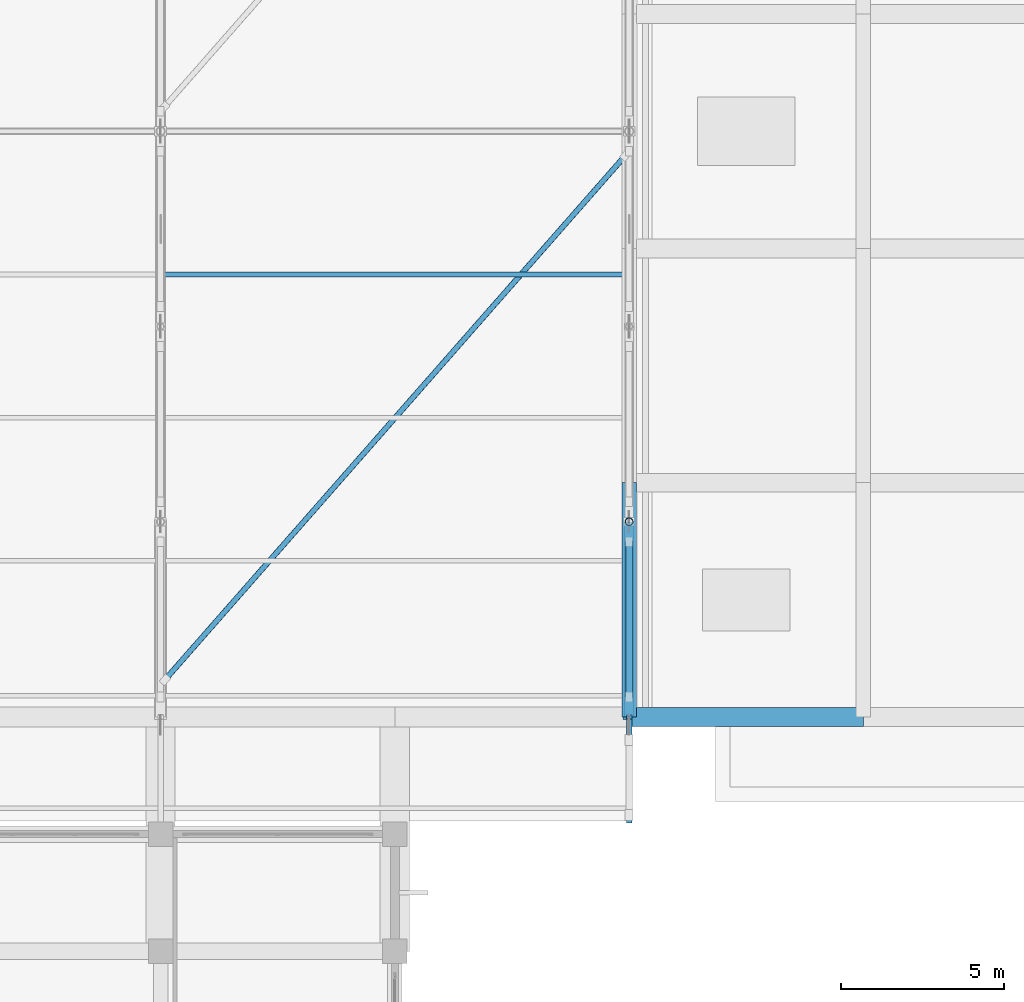
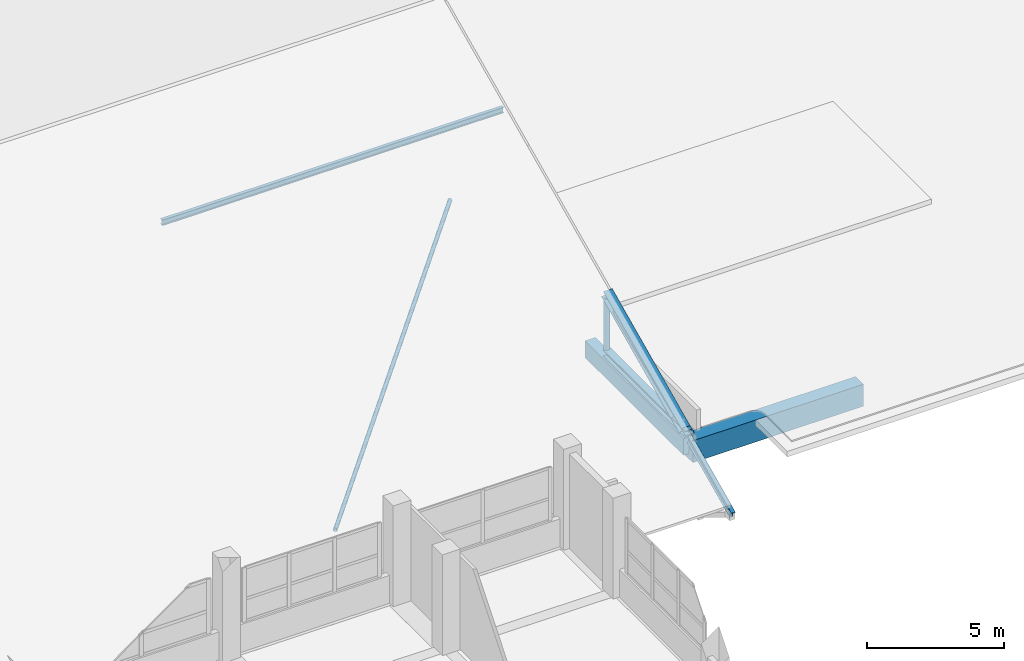
# One storey, part 103 of 141: 7 members, 2 beams, 1 element without a shape of its own.
"""IFC4 building model written with IfcOpenShell, lengths in metres."""

from ifc_helpers import new_model, si_unit, direction, frame, origin, origin_2d, place, context, subcontext, project, spatial, rectangle, hollow_circle, i_section, extrude, material, material_profile, profile_set, type_object, element, aggregate, save


model = new_model("IFC4")

# Units and contexts
model_context = context("Model", 3, precision=1e-05, world=origin(), true_north=direction((0.0, 1.0)))
body_context = subcontext(model_context, "Body", "Model", "MODEL_VIEW")
ifc_project = project(units=[si_unit("LENGTHUNIT", "METRE"), si_unit("AREAUNIT", "SQUARE_METRE"), si_unit("VOLUMEUNIT", "CUBIC_METRE"), si_unit("PLANEANGLEUNIT", "RADIAN"), si_unit("MASSUNIT", "GRAM", prefix="KILO")], contexts=[model_context])

# Site, building, storey
site_placement = place(None, origin())
site = spatial("IfcSite", under=ifc_project, at=site_placement, CompositionType="ELEMENT")
building_placement = place(site_placement, origin())
building = spatial("IfcBuilding", under=site, at=building_placement, Name="Seraya Terrace Polytechnic", CompositionType="ELEMENT")
storey_placement = place(building_placement, frame((0.0, 0.0, 14.39990234375)))
storey = spatial("IfcBuildingStorey", under=building, at=storey_placement, Name="L03", CompositionType="ELEMENT", Elevation=14.39990234375)

# Assembly, member
ifc_material_1 = material(Name="Steel S355J2", Category="steel")
element_assembly_type = type_object("IfcElementAssemblyType", Name="TR-A1", PredefinedType="TRUSS", material=ifc_material_1)
assembly_placement = place(storey_placement, origin())
assembly = element("IfcElementAssembly", 1, at=assembly_placement, inside=storey, type_object=element_assembly_type, Name="Pitched steel roof truss TR-08", AssemblyPlace="SITE", PredefinedType="TRUSS")
ifc_material_profile_1 = material_profile(ifc_material_1, i_section(OverallWidth=0.304931640625, OverallDepth=0.304931640625, WebThickness=0.014892578125, FlangeThickness=0.023681640625, at=origin_2d()), Name="UKC 305x305x14.9x23.8")
ifc_profile_set_1 = profile_set([ifc_material_profile_1], Name="Steel S355J2")
member_type_1 = type_object("IfcMemberType", Name="BC-01", PredefinedType="CHORD", material=ifc_profile_set_1)
member_1_placement = place(storey_placement, frame((115.199951171875, 79.199951171875, 0.150146484375), z_axis=(0.0, 1.0, 0.0), x_axis=(-1.0, 0.0, 0.0)))
member_1 = element("IfcMember", 2, at=member_1_placement, type_object=member_type_1, Name="TR-08 bottom chord 1", PredefinedType="CHORD", context=body_context, shape_type="SweptSolid", body=[
    extrude(i_section(OverallWidth=0.304931640625, OverallDepth=0.304931640625, WebThickness=0.014892578125, FlangeThickness=0.023681640625, at=origin_2d()), origin(), (0.0, 0.0, 1.0), 6.0),
])

# Beams
ifc_material_2 = material(Name="Concrete C40/50", Category="concrete")
ifc_material_profile_2 = material_profile(ifc_material_2, rectangle(XDim=0.580078125, YDim=0.97998046875, at=origin_2d()), Name="RC 580x980")
ifc_profile_set_2 = profile_set([ifc_material_profile_2], Name="Concrete C40/50")
beam_type_1 = type_object("IfcBeamType", Name="BM-02", PredefinedType="BEAM", material=ifc_profile_set_2)
beam_1_placement = place(storey_placement, frame((115.199951171875, 79.199951171875, -0.489990234375), z_axis=(1.0, 0.0, 0.0), x_axis=(0.0, 1.0, 0.0)))
element("IfcBeam", 3, at=beam_1_placement, inside=storey, type_object=beam_type_1, Name="Beam BM-02 L03 X (115.2..122.4, 79.2)", PredefinedType="BEAM", context=body_context, shape_type="SweptSolid", body=[
    extrude(rectangle(XDim=0.580078125, YDim=0.97998046875, at=origin_2d()), origin(), (0.0, 0.0, 1.0), 7.199951171875),
])
ifc_material_profile_3 = material_profile(ifc_material_2, rectangle(XDim=0.449951171875, YDim=0.75, at=origin_2d()), Name="RC 450x750")
ifc_profile_set_3 = profile_set([ifc_material_profile_3], Name="Concrete C40/50")
beam_type_2 = type_object("IfcBeamType", Name="BM-08", PredefinedType="BEAM", material=ifc_profile_set_3)
beam_2_placement = place(storey_placement, frame((115.199951171875, 79.199951171875, -0.375), z_axis=(0.0, 1.0, 0.0), x_axis=(-1.0, 0.0, 0.0)))
element("IfcBeam", 4, at=beam_2_placement, inside=storey, type_object=beam_type_2, Name="Beam BM-08 L03 Y (115.2, 79.2..86.4)", PredefinedType="BEAM", context=body_context, shape_type="SweptSolid", body=[
    extrude(rectangle(XDim=0.449951171875, YDim=0.75, at=origin_2d()), origin(), (0.0, 0.0, 1.0), 7.199951171875),
])

# Member
ifc_material_profile_4 = material_profile(ifc_material_1, hollow_circle(Radius=0.109619140625, WallThickness=0.010009765625, at=origin_2d()), Name="CHS 219.1x10.0")
ifc_profile_set_4 = profile_set([ifc_material_profile_4], Name="Steel S355J2")
member_type_2 = type_object("IfcMemberType", Name="BR-01", PredefinedType="BRACE", material=ifc_profile_set_4)
member_2_placement = place(storey_placement, frame((115.199951171875, 79.820068359375, 0.316650390625), z_axis=(0.0, 0.921775035169, 0.387725140453), x_axis=(-1.0, 0.0, 0.0)))
member_2 = element("IfcMember", 5, at=member_2_placement, type_object=member_type_2, Name="TR-08 web diagonal 1", PredefinedType="BRACE", context=body_context, shape_type="SweptSolid", body=[
    extrude(hollow_circle(Radius=0.109619140625, WallThickness=0.010009765625, at=origin_2d()), origin(), (0.0, 0.0, 1.0), 5.1640625),
])

# Members
ifc_material_profile_5 = material_profile(ifc_material_1, hollow_circle(Radius=0.084228515625, WallThickness=0.008056640625, at=origin_2d()), Name="CHS 168.3x8.0")
ifc_profile_set_5 = profile_set([ifc_material_profile_5], Name="Steel S355J2")
member_type_3 = type_object("IfcMemberType", Name="BR-03", PredefinedType="BRACE", material=ifc_profile_set_5)
member_3_placement = place(storey_placement, frame((100.94189453125, 80.35009765625, 0.150146484375), z_axis=(0.659898142064, 0.75135507059, 0.0), x_axis=(-0.75135507059, 0.659898142064, 0.0)))
element("IfcMember", 6, at=member_3_placement, inside=storey, type_object=member_type_3, Name="Roof plan brace bay 7 S1", PredefinedType="BRACE", context=body_context, shape_type="SweptSolid", body=[
    extrude(hollow_circle(Radius=0.084228515625, WallThickness=0.008056640625, at=origin_2d()), origin(), (0.0, 0.0, 1.0), 21.427734375),
])
ifc_material_profile_6 = material_profile(ifc_material_1, i_section(OverallWidth=0.14599609375, OverallDepth=0.25390625, WebThickness=0.007080078125, FlangeThickness=0.01416015625, at=origin_2d()), Name="UKB 254x146x7.2x14.2")
ifc_profile_set_6 = profile_set([ifc_material_profile_6], Name="Steel S355J2")
member_type_4 = type_object("IfcMemberType", Name="PR-01", PredefinedType="PURLIN", material=ifc_profile_set_6)
member_4_placement = place(storey_placement, frame((100.800048828125, 92.800048828125, 6.376953125), z_axis=(1.0, 0.0, 0.0), x_axis=(0.0, 1.0, 0.0)))
element("IfcMember", 7, at=member_4_placement, inside=storey, type_object=member_type_4, Name="Workshop roof purlin PR-01 bay 7.5", PredefinedType="PURLIN", context=body_context, shape_type="SweptSolid", body=[
    extrude(i_section(OverallWidth=0.14599609375, OverallDepth=0.25390625, WebThickness=0.007080078125, FlangeThickness=0.01416015625, at=origin_2d()), origin(), (0.0, 0.0, 1.0), 14.39990234375),
])

# Member
ifc_material_profile_7 = material_profile(ifc_material_1, i_section(OverallWidth=0.1650390625, OverallDepth=0.304931640625, WebThickness=0.0087890625, FlangeThickness=0.0166015625, at=origin_2d()), Name="UKB 305x165x8.9x16.7")
ifc_profile_set_7 = profile_set([ifc_material_profile_7], Name="Steel S355J2")
member_type_5 = type_object("IfcMemberType", Name="RF-02", PredefinedType="RAFTER", material=ifc_profile_set_7)
member_5_placement = place(storey_placement, frame((115.199951171875, 79.199951171875, -0.052001953125), z_axis=(0.0, -0.906199036176, -0.422851400416), x_axis=(1.0, 0.0, 0.0)))
member_5 = element("IfcMember", 8, at=member_5_placement, type_object=member_type_5, Name="TR-08 South monsoon eave rafter", PredefinedType="RAFTER", context=body_context, shape_type="SweptSolid", body=[
    extrude(i_section(OverallWidth=0.1650390625, OverallDepth=0.304931640625, WebThickness=0.0087890625, FlangeThickness=0.0166015625, at=origin_2d()), origin(), (0.0, 0.0, 1.0), 3.53125),
])

ifc_material_profile_8 = material_profile(ifc_material_1, hollow_circle(Radius=0.122314453125, WallThickness=0.012451171875, at=origin_2d()), Name="CHS 244.5x12.5")
ifc_profile_set_8 = profile_set([ifc_material_profile_8], Name="Steel S355J2")
member_type_6 = type_object("IfcMemberType", Name="ST-M2", PredefinedType="STRUT", material=ifc_profile_set_8)
member_6_placement = place(storey_placement, frame((115.199951171875, 85.199951171875, 0.306640625), z_axis=(0.0, 0.0, 1.0), x_axis=(1.0, 0.0, 0.0)))
member_6 = element("IfcMember", 9, at=member_6_placement, type_object=member_type_6, Name="TR-08 vertical strut 2", PredefinedType="STRUT", context=body_context, shape_type="SweptSolid", body=[
    extrude(hollow_circle(Radius=0.122314453125, WallThickness=0.012451171875, at=origin_2d()), origin(), (0.0, 0.0, 1.0), 2.3115234375),
])

ifc_material_profile_9 = material_profile(ifc_material_1, i_section(OverallWidth=0.367919921875, OverallDepth=0.35595703125, WebThickness=0.014892578125, FlangeThickness=0.0244140625, at=origin_2d()), Name="UKC 356x368x15.0x24.4")
ifc_profile_set_9 = profile_set([ifc_material_profile_9], Name="Steel S355J2")
member_type_7 = type_object("IfcMemberType", Name="TC-01", PredefinedType="CHORD", material=ifc_profile_set_9)
member_7_placement = place(storey_placement, frame((115.199951171875, 79.199951171875, 0.0), z_axis=(0.0, 0.906180313975, 0.422891521036), x_axis=(-1.0, 0.0, 0.0)))
member_7 = element("IfcMember", 10, at=member_7_placement, type_object=member_type_7, Name="TR-08 top chord 1", PredefinedType="CHORD", context=body_context, shape_type="SweptSolid", body=[
    extrude(i_section(OverallWidth=0.367919921875, OverallDepth=0.35595703125, WebThickness=0.014892578125, FlangeThickness=0.0244140625, at=origin_2d()), origin(), (0.0, 0.0, 1.0), 6.62109375),
])

aggregate(assembly, [member_1, member_7, member_6, member_2, member_5])

save(model, "model.ifc")
